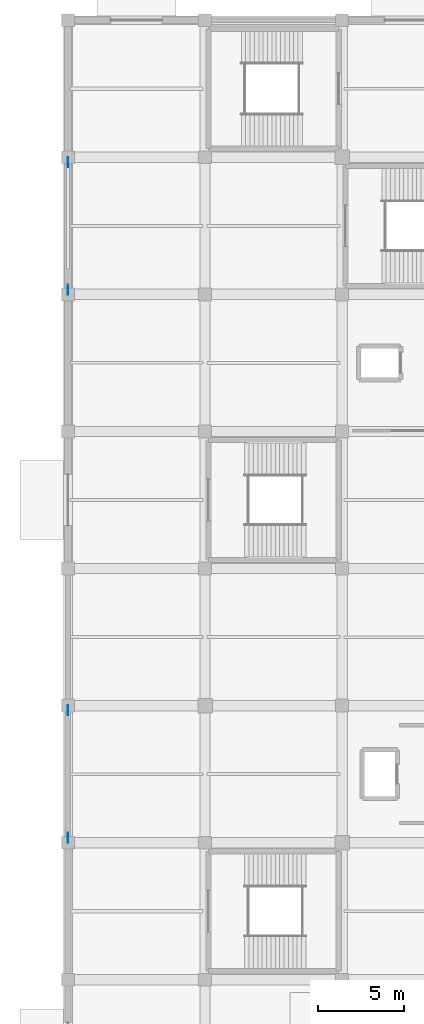
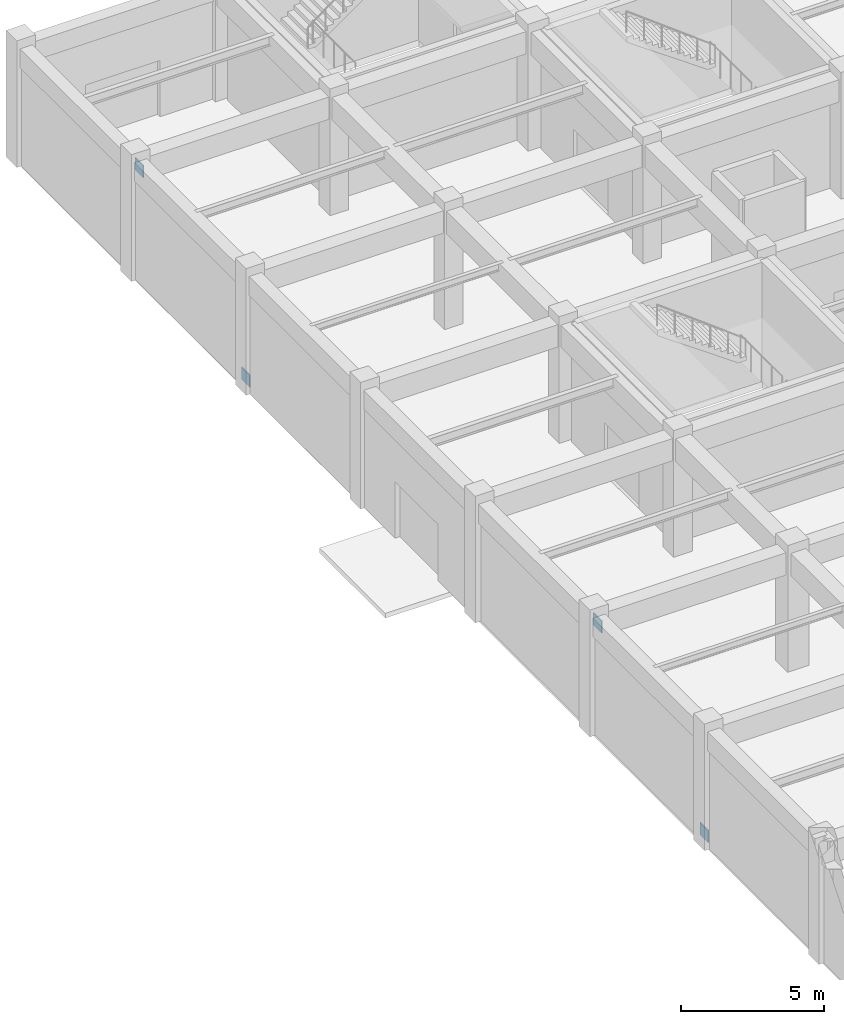
# One storey, part 18 of 39: 4 plates.
"""IFC4 building model written with IfcOpenShell, lengths in metres."""

from ifc_helpers import new_model, si_unit, direction, frame, origin, origin_2d, place, context, subcontext, project, spatial, rectangle, extrude, material, layer, layer_set, type_object, element, save


model = new_model("IFC4")

# Units and contexts
model_context = context("Model", 3, precision=1e-05, world=origin(), true_north=direction((0.0, 1.0)))
body_context = subcontext(model_context, "Body", "Model", "MODEL_VIEW")
ifc_project = project(units=[si_unit("LENGTHUNIT", "METRE"), si_unit("AREAUNIT", "SQUARE_METRE"), si_unit("VOLUMEUNIT", "CUBIC_METRE"), si_unit("PLANEANGLEUNIT", "RADIAN"), si_unit("MASSUNIT", "GRAM", prefix="KILO")], contexts=[model_context])

# Site, building, storey
site_placement = place(None, origin())
site = spatial("IfcSite", under=ifc_project, at=site_placement, CompositionType="ELEMENT")
building_placement = place(site_placement, origin())
building = spatial("IfcBuilding", under=site, at=building_placement, Name="Tazarka Park Arena", CompositionType="ELEMENT")
storey_placement = place(building_placement, origin())
storey = spatial("IfcBuildingStorey", under=building, at=storey_placement, Name="L00", CompositionType="ELEMENT", Elevation=0.0)

# Plates
ifc_material = material(Name="Steel S460", Category="steel")
ifc_layer = layer(ifc_material, 0.035888671875, Name="Steel S460")
ifc_layer_set = layer_set([ifc_layer], Name="Steel S460")
plate_type = type_object("IfcPlateType", Name="PLT-PL-11", PredefinedType="USERDEFINED", material=ifc_layer_set)
for number, where, z_axis, x_axis, name in (
    (1, (0.0, 64.280029296875, -0.010009765625), (0.0, 0.0, 1.0), (1.0, 0.0, 0.0), "BRP-L00-00-1"),
    (2, (0.0, 71.719970703125, 4.409912109375), (0.0, 0.0, 1.0), (1.0, 0.0, 0.0), "BRP-L00-00-2"),
    (3, (0.0, 96.280029296875, -0.010009765625), (0.0, 0.0, 1.0), (1.0, 0.0, 0.0), "BRP-L00-01-1"),
    (4, (0.0, 103.719970703125, 4.409912109375), (0.0, 0.0, 1.0), (1.0, 0.0, 0.0), "BRP-L00-01-2"),
):
    element("IfcPlate", number, at=place(storey_placement, frame(where, z_axis=z_axis, x_axis=x_axis)), inside=storey, type_object=plate_type, Name=name, ObjectType="STIFFENER", PredefinedType="USERDEFINED", context=body_context, shape_type="SweptSolid", body=[
        extrude(rectangle(XDim=0.035888671875, YDim=0.580078125, at=origin_2d()), origin(), (0.0, 0.0, 1.0), 0.52001953125),
    ])

save(model, "model.ifc")
